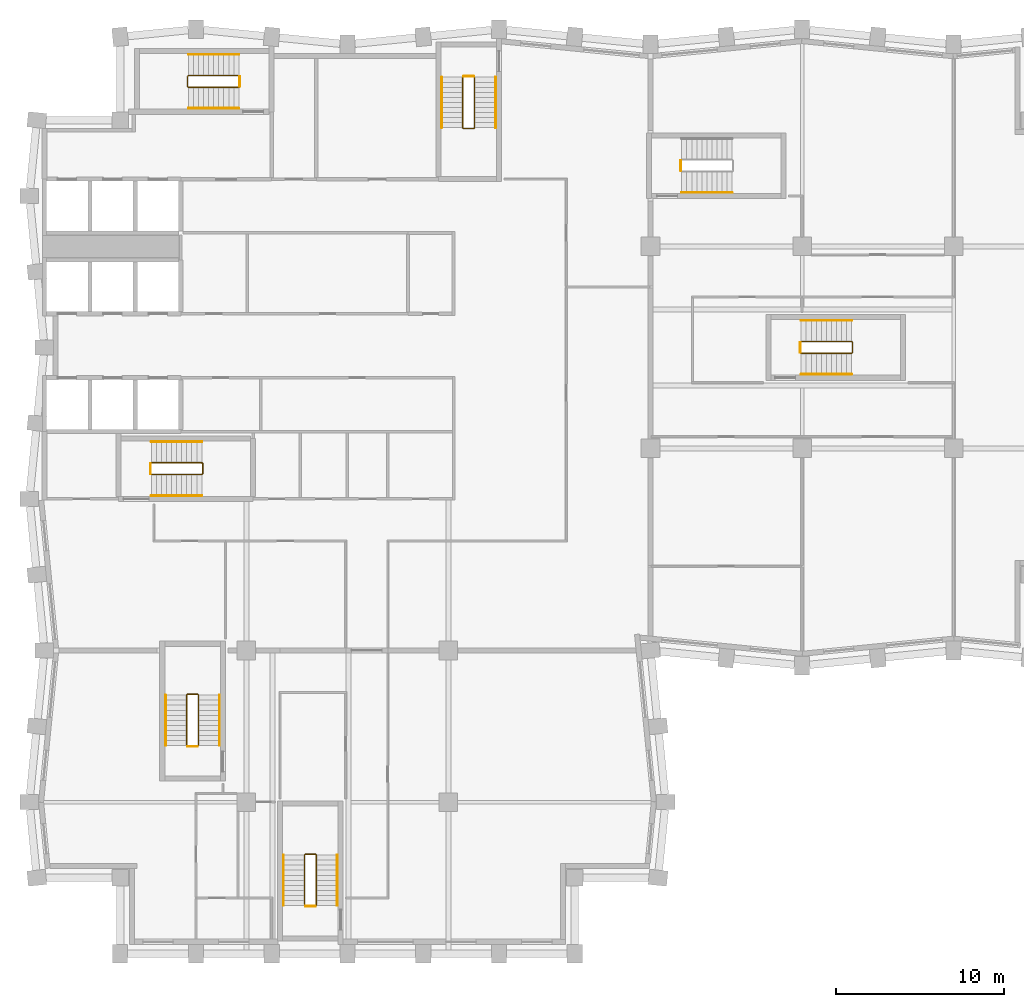
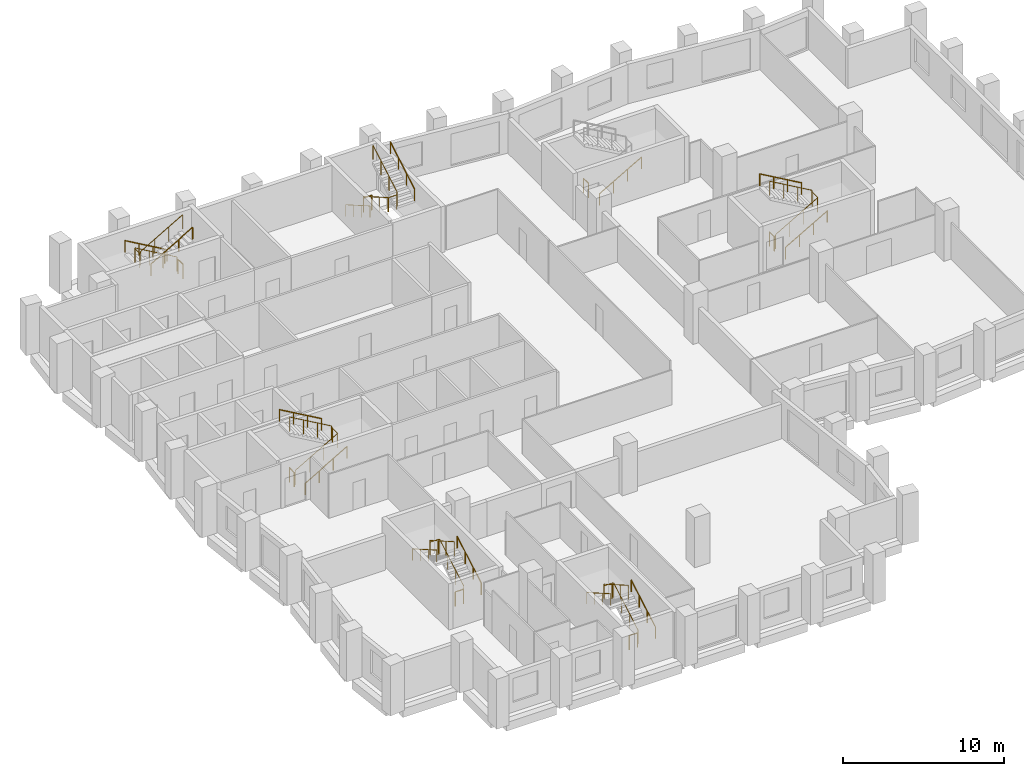
# One storey, part 9 of 10: 26 railings.
"""IFC4 building model written with IfcOpenShell, lengths in metres."""

from ifc_helpers import new_model, si_unit, direction, frame, origin, origin_2d, place, context, subcontext, project, spatial, circle, extrude, material, type_object, element, save


model = new_model("IFC4")

# Units and contexts
model_context = context("Model", 3, precision=1e-05, world=origin(), true_north=direction((0.0, 1.0)))
body_context = subcontext(model_context, "Body", "Model", "MODEL_VIEW")
ifc_project = project(units=[si_unit("LENGTHUNIT", "METRE"), si_unit("AREAUNIT", "SQUARE_METRE"), si_unit("VOLUMEUNIT", "CUBIC_METRE"), si_unit("PLANEANGLEUNIT", "RADIAN"), si_unit("MASSUNIT", "GRAM", prefix="KILO")], contexts=[model_context])

# Site, building, storey
site_placement = place(None, origin())
site = spatial("IfcSite", under=ifc_project, at=site_placement, CompositionType="ELEMENT")
building_placement = place(site_placement, origin())
building = spatial("IfcBuilding", under=site, at=building_placement, Name="Brondeck Convention Tower", CompositionType="ELEMENT")
storey_placement = place(building_placement, frame((0.0, 0.0, 189.0)))
storey = spatial("IfcBuildingStorey", under=building, at=storey_placement, Name="L46", CompositionType="ELEMENT", Elevation=189.0)

# Railings
ifc_material = material(Name="Steel S355", Category="steel")
railing_type_1 = type_object("IfcRailingType", Name="Stair guard 1100", PredefinedType="GUARDRAIL", material=ifc_material)
railing_1_placement = place(storey_placement, frame((6.35009765625, 37.449951171875, 0.172607421875)))
element("IfcRailing", 1, at=railing_1_placement, inside=storey, type_object=railing_type_1, Name="L46 ST-1 stair guard 1", PredefinedType="GUARDRAIL", context=body_context, shape_type="SweptSolid", body=[
    extrude(circle(Radius=0.02392578125, at=origin_2d()), frame((0.0, 0.0, 1.076171875), z_axis=(0.866619684472, 0.0, 0.498969260062), x_axis=(0.0, 1.0, 0.0)), (0.0, 0.0, 1.0), 3.461669921875),
    extrude(circle(Radius=0.02392578125, at=origin_2d()), frame((3.0, 0.0, 2.80322265625), z_axis=(0.705375805398, 0.708833529934, 0.0), x_axis=(-0.708833529934, 0.705375805398, 0.0)), (0.0, 0.0, 1.0), 0.070556640625),
    extrude(circle(Radius=0.02392578125, at=origin_2d()), frame((3.0498046875, 0.050048828125, 2.80322265625), z_axis=(0.0, 1.0, 0.0), x_axis=(-1.0, 0.0, 0.0)), (0.0, 0.0, 1.0), 0.60009765625),
    extrude(circle(Radius=0.02392578125, at=origin_2d()), frame((3.0498046875, 0.650146484375, 2.80322265625), z_axis=(-0.266832911964, 0.266832911964, 0.926067165051), x_axis=(-0.707106781187, -0.707106781187, 0.0)), (0.0, 0.0, 1.0), 0.186767578125),
    extrude(circle(Radius=0.02392578125, at=origin_2d()), frame((3.0, 0.699951171875, 2.97607421875), z_axis=(-0.866619684472, 0.0, 0.498969260062), x_axis=(0.0, -1.0, 0.0)), (0.0, 0.0, 1.0), 3.461669921875),
    extrude(circle(Radius=0.02099609375, at=origin_2d()), origin(), (0.0, 0.0, 1.0), 1.052001953125),
    extrude(circle(Radius=0.02099609375, at=origin_2d()), frame((1.0, 0.0, 0.57568359375)), (0.0, 0.0, 1.0), 1.052001953125),
    extrude(circle(Radius=0.02099609375, at=origin_2d()), frame((2.0, 0.0, 1.151611328125)), (0.0, 0.0, 1.0), 1.052001953125),
    extrude(circle(Radius=0.02099609375, at=origin_2d()), frame((3.0, 0.0, 1.727294921875)), (0.0, 0.0, 1.0), 1.052001953125),
    extrude(circle(Radius=0.02099609375, at=origin_2d()), frame((3.0498046875, 0.050048828125, 1.727294921875)), (0.0, 0.0, 1.0), 1.052001953125),
    extrude(circle(Radius=0.02099609375, at=origin_2d()), frame((3.0498046875, 0.650146484375, 1.727294921875)), (0.0, 0.0, 1.0), 1.052001953125),
    extrude(circle(Radius=0.02099609375, at=origin_2d()), frame((3.0, 0.699951171875, 1.900146484375)), (0.0, 0.0, 1.0), 1.052001953125),
    extrude(circle(Radius=0.02099609375, at=origin_2d()), frame((2.0, 0.699951171875, 2.475830078125)), (0.0, 0.0, 1.0), 1.052001953125),
    extrude(circle(Radius=0.02099609375, at=origin_2d()), frame((1.0, 0.699951171875, 3.0517578125)), (0.0, 0.0, 1.0), 1.052001953125),
    extrude(circle(Radius=0.02099609375, at=origin_2d()), frame((0.0, 0.699951171875, 3.62744140625)), (0.0, 0.0, 1.0), 1.052001953125),
])
railing_2_placement = place(storey_placement, frame((6.300048828125, 37.5, 0.0)))
element("IfcRailing", 2, at=railing_2_placement, inside=storey, type_object=railing_type_1, Name="L46 ST-1 stair guard 2", PredefinedType="GUARDRAIL", context=body_context, shape_type="SweptSolid", body=[
    extrude(circle(Radius=0.02392578125, at=origin_2d()), frame((0.0, 0.0, 1.076171875), z_axis=(0.0, 1.0, 0.0), x_axis=(-1.0, 0.0, 0.0)), (0.0, 0.0, 1.0), 0.60009765625),
    extrude(circle(Radius=0.02099609375, at=origin_2d()), origin(), (0.0, 0.0, 1.0), 1.052001953125),
    extrude(circle(Radius=0.02099609375, at=origin_2d()), frame((0.0, 0.60009765625, 0.0)), (0.0, 0.0, 1.0), 1.052001953125),
])
railing_3_placement = place(storey_placement, frame((24.85009765625, 61.050048828125, 0.172607421875)))
element("IfcRailing", 3, at=railing_3_placement, inside=storey, type_object=railing_type_1, Name="L46 ST-2 stair guard 1", PredefinedType="GUARDRAIL", context=body_context, shape_type="SweptSolid", body=[
    extrude(circle(Radius=0.02392578125, at=origin_2d()), frame((0.0, 0.0, 1.076171875), z_axis=(0.0, -0.866619684472, 0.498969260062), x_axis=(1.0, 0.0, 0.0)), (0.0, 0.0, 1.0), 3.461669921875),
    extrude(circle(Radius=0.02392578125, at=origin_2d()), frame((0.0, -3.0, 2.80322265625), z_axis=(0.705375805398, -0.708833529934, 0.0), x_axis=(0.708833529934, 0.705375805398, 0.0)), (0.0, 0.0, 1.0), 0.070556640625),
    extrude(circle(Radius=0.02392578125, at=origin_2d()), frame((0.0498046875, -3.050048828125, 2.80322265625), z_axis=(1.0, 0.0, 0.0), x_axis=(0.0, 1.0, 0.0)), (0.0, 0.0, 1.0), 0.60009765625),
    extrude(circle(Radius=0.02392578125, at=origin_2d()), frame((0.64990234375, -3.050048828125, 2.80322265625), z_axis=(0.267953482034, 0.267953482034, 0.925419830635), x_axis=(-0.707106781187, 0.707106781187, 0.0)), (0.0, 0.0, 1.0), 0.186767578125),
    extrude(circle(Radius=0.02392578125, at=origin_2d()), frame((0.699951171875, -3.0, 2.97607421875), z_axis=(0.0, 0.866619684472, 0.498969260062), x_axis=(-1.0, 0.0, 0.0)), (0.0, 0.0, 1.0), 3.461669921875),
    extrude(circle(Radius=0.02099609375, at=origin_2d()), origin(), (0.0, 0.0, 1.0), 1.052001953125),
    extrude(circle(Radius=0.02099609375, at=origin_2d()), frame((0.0, -1.0, 0.57568359375)), (0.0, 0.0, 1.0), 1.052001953125),
    extrude(circle(Radius=0.02099609375, at=origin_2d()), frame((0.0, -2.0, 1.151611328125)), (0.0, 0.0, 1.0), 1.052001953125),
    extrude(circle(Radius=0.02099609375, at=origin_2d()), frame((0.0, -3.0, 1.727294921875)), (0.0, 0.0, 1.0), 1.052001953125),
    extrude(circle(Radius=0.02099609375, at=origin_2d()), frame((0.0498046875, -3.050048828125, 1.727294921875)), (0.0, 0.0, 1.0), 1.052001953125),
    extrude(circle(Radius=0.02099609375, at=origin_2d()), frame((0.64990234375, -3.050048828125, 1.727294921875)), (0.0, 0.0, 1.0), 1.052001953125),
    extrude(circle(Radius=0.02099609375, at=origin_2d()), frame((0.699951171875, -3.0, 1.900146484375)), (0.0, 0.0, 1.0), 1.052001953125),
    extrude(circle(Radius=0.02099609375, at=origin_2d()), frame((0.699951171875, -2.0, 2.475830078125)), (0.0, 0.0, 1.0), 1.052001953125),
    extrude(circle(Radius=0.02099609375, at=origin_2d()), frame((0.699951171875, -1.0, 3.0517578125)), (0.0, 0.0, 1.0), 1.052001953125),
    extrude(circle(Radius=0.02099609375, at=origin_2d()), frame((0.699951171875, 0.0, 3.62744140625)), (0.0, 0.0, 1.0), 1.052001953125),
])
railing_4_placement = place(storey_placement, frame((24.89990234375, 61.10009765625, 0.0)))
element("IfcRailing", 4, at=railing_4_placement, inside=storey, type_object=railing_type_1, Name="L46 ST-2 stair guard 2", PredefinedType="GUARDRAIL", context=body_context, shape_type="SweptSolid", body=[
    extrude(circle(Radius=0.02392578125, at=origin_2d()), frame((0.0, 0.0, 1.076171875), z_axis=(1.0, 0.0, 0.0), x_axis=(0.0, 1.0, 0.0)), (0.0, 0.0, 1.0), 0.60009765625),
    extrude(circle(Radius=0.02099609375, at=origin_2d()), origin(), (0.0, 0.0, 1.0), 1.052001953125),
    extrude(circle(Radius=0.02099609375, at=origin_2d()), frame((0.60009765625, 0.0, 0.0)), (0.0, 0.0, 1.0), 1.052001953125),
])
railing_5_placement = place(storey_placement, frame((11.550048828125, 61.14990234375, 0.172607421875)))
element("IfcRailing", 5, at=railing_5_placement, inside=storey, type_object=railing_type_1, Name="L46 ST-3 stair guard 1", PredefinedType="GUARDRAIL", context=body_context, shape_type="SweptSolid", body=[
    extrude(circle(Radius=0.02392578125, at=origin_2d()), frame((0.0, 0.0, 1.076171875), z_axis=(-0.866619684472, 0.0, 0.498969260062), x_axis=(0.0, -1.0, 0.0)), (0.0, 0.0, 1.0), 3.461669921875),
    extrude(circle(Radius=0.02392578125, at=origin_2d()), frame((-3.0, 0.0, 2.80322265625), z_axis=(-0.708833529934, -0.705375805398, 0.0), x_axis=(0.705375805398, -0.708833529934, 0.0)), (0.0, 0.0, 1.0), 0.070556640625),
    extrude(circle(Radius=0.02392578125, at=origin_2d()), frame((-3.050048828125, -0.0498046875, 2.80322265625), z_axis=(0.0, -1.0, 0.0), x_axis=(1.0, 0.0, 0.0)), (0.0, 0.0, 1.0), 0.60009765625),
    extrude(circle(Radius=0.02392578125, at=origin_2d()), frame((-3.050048828125, -0.64990234375, 2.80322265625), z_axis=(0.267953482034, -0.267953482034, 0.925419830635), x_axis=(0.707106781187, 0.707106781187, 0.0)), (0.0, 0.0, 1.0), 0.186767578125),
    extrude(circle(Radius=0.02392578125, at=origin_2d()), frame((-3.0, -0.699951171875, 2.97607421875), z_axis=(0.866619684472, 0.0, 0.498969260062), x_axis=(0.0, 1.0, 0.0)), (0.0, 0.0, 1.0), 3.461669921875),
    extrude(circle(Radius=0.02099609375, at=origin_2d()), origin(), (0.0, 0.0, 1.0), 1.052001953125),
    extrude(circle(Radius=0.02099609375, at=origin_2d()), frame((-1.0, 0.0, 0.57568359375)), (0.0, 0.0, 1.0), 1.052001953125),
    extrude(circle(Radius=0.02099609375, at=origin_2d()), frame((-2.0, 0.0, 1.151611328125)), (0.0, 0.0, 1.0), 1.052001953125),
    extrude(circle(Radius=0.02099609375, at=origin_2d()), frame((-3.0, 0.0, 1.727294921875)), (0.0, 0.0, 1.0), 1.052001953125),
    extrude(circle(Radius=0.02099609375, at=origin_2d()), frame((-3.050048828125, -0.0498046875, 1.727294921875)), (0.0, 0.0, 1.0), 1.052001953125),
    extrude(circle(Radius=0.02099609375, at=origin_2d()), frame((-3.050048828125, -0.64990234375, 1.727294921875)), (0.0, 0.0, 1.0), 1.052001953125),
    extrude(circle(Radius=0.02099609375, at=origin_2d()), frame((-3.0, -0.699951171875, 1.900146484375)), (0.0, 0.0, 1.0), 1.052001953125),
    extrude(circle(Radius=0.02099609375, at=origin_2d()), frame((-2.0, -0.699951171875, 2.475830078125)), (0.0, 0.0, 1.0), 1.052001953125),
    extrude(circle(Radius=0.02099609375, at=origin_2d()), frame((-1.0, -0.699951171875, 3.0517578125)), (0.0, 0.0, 1.0), 1.052001953125),
    extrude(circle(Radius=0.02099609375, at=origin_2d()), frame((0.0, -0.699951171875, 3.62744140625)), (0.0, 0.0, 1.0), 1.052001953125),
])
railing_6_placement = place(storey_placement, frame((11.60009765625, 61.10009765625, 0.0)))
element("IfcRailing", 6, at=railing_6_placement, inside=storey, type_object=railing_type_1, Name="L46 ST-3 stair guard 2", PredefinedType="GUARDRAIL", context=body_context, shape_type="SweptSolid", body=[
    extrude(circle(Radius=0.02392578125, at=origin_2d()), frame((0.0, 0.0, 1.076171875), z_axis=(0.0, -1.0, 0.0), x_axis=(1.0, 0.0, 0.0)), (0.0, 0.0, 1.0), 0.60009765625),
    extrude(circle(Radius=0.02099609375, at=origin_2d()), origin(), (0.0, 0.0, 1.0), 1.052001953125),
    extrude(circle(Radius=0.02099609375, at=origin_2d()), frame((0.0, -0.60009765625, 0.0)), (0.0, 0.0, 1.0), 1.052001953125),
])
railing_7_placement = place(storey_placement, frame((37.800048828125, 55.5, 0.0)))
element("IfcRailing", 7, at=railing_7_placement, inside=storey, type_object=railing_type_1, Name="L46 ST-AE stair guard 2", PredefinedType="GUARDRAIL", context=body_context, shape_type="SweptSolid", body=[
    extrude(circle(Radius=0.02392578125, at=origin_2d()), frame((0.0, 0.0, 1.076171875), z_axis=(0.0, 1.0, 0.0), x_axis=(-1.0, 0.0, 0.0)), (0.0, 0.0, 1.0), 0.60009765625),
    extrude(circle(Radius=0.02099609375, at=origin_2d()), origin(), (0.0, 0.0, 1.0), 1.052001953125),
    extrude(circle(Radius=0.02099609375, at=origin_2d()), frame((0.0, 0.60009765625, 0.0)), (0.0, 0.0, 1.0), 1.052001953125),
])
railing_8_placement = place(storey_placement, frame((9.14990234375, 21.35009765625, 0.172607421875)))
element("IfcRailing", 8, at=railing_8_placement, inside=storey, type_object=railing_type_1, Name="L46 ST-BE stair guard 1", PredefinedType="GUARDRAIL", context=body_context, shape_type="SweptSolid", body=[
    extrude(circle(Radius=0.02392578125, at=origin_2d()), frame((0.0, 0.0, 1.076171875), z_axis=(0.0, 0.866619684472, 0.498969260062), x_axis=(-1.0, 0.0, 0.0)), (0.0, 0.0, 1.0), 3.461669921875),
    extrude(circle(Radius=0.02392578125, at=origin_2d()), frame((0.0, 3.0, 2.80322265625), z_axis=(-0.707106781187, 0.707106781187, 0.0), x_axis=(-0.707106781187, -0.707106781187, 0.0)), (0.0, 0.0, 1.0), 0.0703125),
    extrude(circle(Radius=0.02392578125, at=origin_2d()), frame((-0.0498046875, 3.0498046875, 2.80322265625), z_axis=(-1.0, 0.0, 0.0), x_axis=(0.0, -1.0, 0.0)), (0.0, 0.0, 1.0), 0.60009765625),
    extrude(circle(Radius=0.02392578125, at=origin_2d()), frame((-0.64990234375, 3.0498046875, 2.80322265625), z_axis=(-0.268047150085, -0.266739603011, 0.925743328097), x_axis=(0.705375805398, -0.708833529934, 0.0)), (0.0, 0.0, 1.0), 0.186767578125),
    extrude(circle(Radius=0.02392578125, at=origin_2d()), frame((-0.699951171875, 3.0, 2.97607421875), z_axis=(0.0, -0.866619684472, 0.498969260062), x_axis=(1.0, 0.0, 0.0)), (0.0, 0.0, 1.0), 3.461669921875),
    extrude(circle(Radius=0.02099609375, at=origin_2d()), origin(), (0.0, 0.0, 1.0), 1.052001953125),
    extrude(circle(Radius=0.02099609375, at=origin_2d()), frame((0.0, 1.0, 0.57568359375)), (0.0, 0.0, 1.0), 1.052001953125),
    extrude(circle(Radius=0.02099609375, at=origin_2d()), frame((0.0, 2.0, 1.151611328125)), (0.0, 0.0, 1.0), 1.052001953125),
    extrude(circle(Radius=0.02099609375, at=origin_2d()), frame((0.0, 3.0, 1.727294921875)), (0.0, 0.0, 1.0), 1.052001953125),
    extrude(circle(Radius=0.02099609375, at=origin_2d()), frame((-0.0498046875, 3.0498046875, 1.727294921875)), (0.0, 0.0, 1.0), 1.052001953125),
    extrude(circle(Radius=0.02099609375, at=origin_2d()), frame((-0.64990234375, 3.0498046875, 1.727294921875)), (0.0, 0.0, 1.0), 1.052001953125),
    extrude(circle(Radius=0.02099609375, at=origin_2d()), frame((-0.699951171875, 3.0, 1.900146484375)), (0.0, 0.0, 1.0), 1.052001953125),
    extrude(circle(Radius=0.02099609375, at=origin_2d()), frame((-0.699951171875, 2.0, 2.475830078125)), (0.0, 0.0, 1.0), 1.052001953125),
    extrude(circle(Radius=0.02099609375, at=origin_2d()), frame((-0.699951171875, 1.0, 3.0517578125)), (0.0, 0.0, 1.0), 1.052001953125),
    extrude(circle(Radius=0.02099609375, at=origin_2d()), frame((-0.699951171875, 0.0, 3.62744140625)), (0.0, 0.0, 1.0), 1.052001953125),
])
railing_9_placement = place(storey_placement, frame((9.10009765625, 21.300048828125, 0.0)))
element("IfcRailing", 9, at=railing_9_placement, inside=storey, type_object=railing_type_1, Name="L46 ST-BE stair guard 2", PredefinedType="GUARDRAIL", context=body_context, shape_type="SweptSolid", body=[
    extrude(circle(Radius=0.02392578125, at=origin_2d()), frame((0.0, 0.0, 1.076171875), z_axis=(-1.0, 0.0, 0.0), x_axis=(0.0, -1.0, 0.0)), (0.0, 0.0, 1.0), 0.60009765625),
    extrude(circle(Radius=0.02099609375, at=origin_2d()), origin(), (0.0, 0.0, 1.0), 1.052001953125),
    extrude(circle(Radius=0.02099609375, at=origin_2d()), frame((-0.60009765625, 0.0, 0.0)), (0.0, 0.0, 1.0), 1.052001953125),
])
railing_10_placement = place(storey_placement, frame((44.949951171875, 44.64990234375, 0.172607421875)))
element("IfcRailing", 10, at=railing_10_placement, inside=storey, type_object=railing_type_1, Name="L46 ST-AF stair guard 1", PredefinedType="GUARDRAIL", context=body_context, shape_type="SweptSolid", body=[
    extrude(circle(Radius=0.02392578125, at=origin_2d()), frame((0.0, 0.0, 1.076171875), z_axis=(0.866619684472, 0.0, 0.498969260062), x_axis=(0.0, 1.0, 0.0)), (0.0, 0.0, 1.0), 3.461669921875),
    extrude(circle(Radius=0.02392578125, at=origin_2d()), frame((3.0, 0.0, 2.80322265625), z_axis=(0.707106781187, 0.707106781187, 0.0), x_axis=(-0.707106781187, 0.707106781187, 0.0)), (0.0, 0.0, 1.0), 0.07080078125),
    extrude(circle(Radius=0.02392578125, at=origin_2d()), frame((3.050048828125, 0.050048828125, 2.80322265625), z_axis=(0.0, 1.0, 0.0), x_axis=(-1.0, 0.0, 0.0)), (0.0, 0.0, 1.0), 0.60009765625),
    extrude(circle(Radius=0.02392578125, at=origin_2d()), frame((3.050048828125, 0.650146484375, 2.80322265625), z_axis=(-0.267953482034, 0.267953482034, 0.925419830635), x_axis=(-0.707106781187, -0.707106781187, 0.0)), (0.0, 0.0, 1.0), 0.186767578125),
    extrude(circle(Radius=0.02392578125, at=origin_2d()), frame((3.0, 0.7001953125, 2.97607421875), z_axis=(-0.866619684472, 0.0, 0.498969260062), x_axis=(0.0, -1.0, 0.0)), (0.0, 0.0, 1.0), 3.461669921875),
    extrude(circle(Radius=0.02099609375, at=origin_2d()), origin(), (0.0, 0.0, 1.0), 1.052001953125),
    extrude(circle(Radius=0.02099609375, at=origin_2d()), frame((1.0, 0.0, 0.57568359375)), (0.0, 0.0, 1.0), 1.052001953125),
    extrude(circle(Radius=0.02099609375, at=origin_2d()), frame((2.0, 0.0, 1.151611328125)), (0.0, 0.0, 1.0), 1.052001953125),
    extrude(circle(Radius=0.02099609375, at=origin_2d()), frame((3.0, 0.0, 1.727294921875)), (0.0, 0.0, 1.0), 1.052001953125),
    extrude(circle(Radius=0.02099609375, at=origin_2d()), frame((3.050048828125, 0.050048828125, 1.727294921875)), (0.0, 0.0, 1.0), 1.052001953125),
    extrude(circle(Radius=0.02099609375, at=origin_2d()), frame((3.050048828125, 0.650146484375, 1.727294921875)), (0.0, 0.0, 1.0), 1.052001953125),
    extrude(circle(Radius=0.02099609375, at=origin_2d()), frame((3.0, 0.7001953125, 1.900146484375)), (0.0, 0.0, 1.0), 1.052001953125),
    extrude(circle(Radius=0.02099609375, at=origin_2d()), frame((2.0, 0.7001953125, 2.475830078125)), (0.0, 0.0, 1.0), 1.052001953125),
    extrude(circle(Radius=0.02099609375, at=origin_2d()), frame((1.0, 0.7001953125, 3.0517578125)), (0.0, 0.0, 1.0), 1.052001953125),
    extrude(circle(Radius=0.02099609375, at=origin_2d()), frame((0.0, 0.7001953125, 3.62744140625)), (0.0, 0.0, 1.0), 1.052001953125),
])
railing_11_placement = place(storey_placement, frame((44.89990234375, 44.699951171875, 0.0)))
element("IfcRailing", 11, at=railing_11_placement, inside=storey, type_object=railing_type_1, Name="L46 ST-AF stair guard 2", PredefinedType="GUARDRAIL", context=body_context, shape_type="SweptSolid", body=[
    extrude(circle(Radius=0.02392578125, at=origin_2d()), frame((0.0, 0.0, 1.076171875), z_axis=(0.0, 1.0, 0.0), x_axis=(-1.0, 0.0, 0.0)), (0.0, 0.0, 1.0), 0.60009765625),
    extrude(circle(Radius=0.02099609375, at=origin_2d()), origin(), (0.0, 0.0, 1.0), 1.052001953125),
    extrude(circle(Radius=0.02099609375, at=origin_2d()), frame((0.0, 0.60009765625, 0.0)), (0.0, 0.0, 1.0), 1.052001953125),
])
railing_12_placement = place(storey_placement, frame((16.14990234375, 11.85009765625, 0.172607421875)))
element("IfcRailing", 12, at=railing_12_placement, inside=storey, type_object=railing_type_1, Name="L46 ST-BF stair guard 1", PredefinedType="GUARDRAIL", context=body_context, shape_type="SweptSolid", body=[
    extrude(circle(Radius=0.02392578125, at=origin_2d()), frame((0.0, 0.0, 1.076171875), z_axis=(0.0, 0.866619684472, 0.498969260062), x_axis=(-1.0, 0.0, 0.0)), (0.0, 0.0, 1.0), 3.461669921875),
    extrude(circle(Radius=0.02392578125, at=origin_2d()), frame((0.0, 3.0, 2.80322265625), z_axis=(-0.707106781187, 0.707106781187, 0.0), x_axis=(-0.707106781187, -0.707106781187, 0.0)), (0.0, 0.0, 1.0), 0.0703125),
    extrude(circle(Radius=0.02392578125, at=origin_2d()), frame((-0.0498046875, 3.0498046875, 2.80322265625), z_axis=(-1.0, 0.0, 0.0), x_axis=(0.0, -1.0, 0.0)), (0.0, 0.0, 1.0), 0.60009765625),
    extrude(circle(Radius=0.02392578125, at=origin_2d()), frame((-0.64990234375, 3.0498046875, 2.80322265625), z_axis=(-0.268047150085, -0.266739603011, 0.925743328097), x_axis=(0.705375805398, -0.708833529934, 0.0)), (0.0, 0.0, 1.0), 0.186767578125),
    extrude(circle(Radius=0.02392578125, at=origin_2d()), frame((-0.699951171875, 3.0, 2.97607421875), z_axis=(0.0, -0.866619684472, 0.498969260062), x_axis=(1.0, 0.0, 0.0)), (0.0, 0.0, 1.0), 3.461669921875),
    extrude(circle(Radius=0.02099609375, at=origin_2d()), origin(), (0.0, 0.0, 1.0), 1.052001953125),
    extrude(circle(Radius=0.02099609375, at=origin_2d()), frame((0.0, 1.0, 0.57568359375)), (0.0, 0.0, 1.0), 1.052001953125),
    extrude(circle(Radius=0.02099609375, at=origin_2d()), frame((0.0, 2.0, 1.151611328125)), (0.0, 0.0, 1.0), 1.052001953125),
    extrude(circle(Radius=0.02099609375, at=origin_2d()), frame((0.0, 3.0, 1.727294921875)), (0.0, 0.0, 1.0), 1.052001953125),
    extrude(circle(Radius=0.02099609375, at=origin_2d()), frame((-0.0498046875, 3.0498046875, 1.727294921875)), (0.0, 0.0, 1.0), 1.052001953125),
    extrude(circle(Radius=0.02099609375, at=origin_2d()), frame((-0.64990234375, 3.0498046875, 1.727294921875)), (0.0, 0.0, 1.0), 1.052001953125),
    extrude(circle(Radius=0.02099609375, at=origin_2d()), frame((-0.699951171875, 3.0, 1.900146484375)), (0.0, 0.0, 1.0), 1.052001953125),
    extrude(circle(Radius=0.02099609375, at=origin_2d()), frame((-0.699951171875, 2.0, 2.475830078125)), (0.0, 0.0, 1.0), 1.052001953125),
    extrude(circle(Radius=0.02099609375, at=origin_2d()), frame((-0.699951171875, 1.0, 3.0517578125)), (0.0, 0.0, 1.0), 1.052001953125),
    extrude(circle(Radius=0.02099609375, at=origin_2d()), frame((-0.699951171875, 0.0, 3.62744140625)), (0.0, 0.0, 1.0), 1.052001953125),
])
railing_13_placement = place(storey_placement, frame((16.10009765625, 11.800048828125, 0.0)))
element("IfcRailing", 13, at=railing_13_placement, inside=storey, type_object=railing_type_1, Name="L46 ST-BF stair guard 2", PredefinedType="GUARDRAIL", context=body_context, shape_type="SweptSolid", body=[
    extrude(circle(Radius=0.02392578125, at=origin_2d()), frame((0.0, 0.0, 1.076171875), z_axis=(-1.0, 0.0, 0.0), x_axis=(0.0, -1.0, 0.0)), (0.0, 0.0, 1.0), 0.60009765625),
    extrude(circle(Radius=0.02099609375, at=origin_2d()), origin(), (0.0, 0.0, 1.0), 1.052001953125),
    extrude(circle(Radius=0.02099609375, at=origin_2d()), frame((-0.60009765625, 0.0, 0.0)), (0.0, 0.0, 1.0), 1.052001953125),
])
railing_type_2 = type_object("IfcRailingType", Name="Stair handrail", PredefinedType="HANDRAIL", material=ifc_material)
railing_14_placement = place(storey_placement, frame((6.35009765625, 36.199951171875, 0.172607421875)))
element("IfcRailing", 14, at=railing_14_placement, inside=storey, type_object=railing_type_2, Name="L46 ST-1 stair handrail 1", PredefinedType="HANDRAIL", context=body_context, shape_type="SweptSolid", body=[
    extrude(circle(Radius=0.02392578125, at=origin_2d()), frame((0.0, 0.0, 0.8759765625), z_axis=(0.866619684472, 0.0, 0.498969260062), x_axis=(0.0, 1.0, 0.0)), (0.0, 0.0, 1.0), 3.461669921875),
    extrude(circle(Radius=0.02099609375, at=origin_2d()), origin(), (0.0, 0.0, 1.0), 0.851806640625),
    extrude(circle(Radius=0.02099609375, at=origin_2d()), frame((1.0, 0.0, 0.57568359375)), (0.0, 0.0, 1.0), 0.851806640625),
    extrude(circle(Radius=0.02099609375, at=origin_2d()), frame((2.0, 0.0, 1.151611328125)), (0.0, 0.0, 1.0), 0.851806640625),
    extrude(circle(Radius=0.02099609375, at=origin_2d()), frame((3.0, 0.0, 1.727294921875)), (0.0, 0.0, 1.0), 0.851806640625),
])
railing_15_placement = place(storey_placement, frame((9.35009765625, 39.39990234375, 2.07275390625)))
element("IfcRailing", 15, at=railing_15_placement, inside=storey, type_object=railing_type_2, Name="L46 ST-1 stair handrail 2", PredefinedType="HANDRAIL", context=body_context, shape_type="SweptSolid", body=[
    extrude(circle(Radius=0.02392578125, at=origin_2d()), frame((0.0, 0.0, 0.8759765625), z_axis=(-0.866619684472, 0.0, 0.498969260062), x_axis=(0.0, -1.0, 0.0)), (0.0, 0.0, 1.0), 3.461669921875),
    extrude(circle(Radius=0.02099609375, at=origin_2d()), origin(), (0.0, 0.0, 1.0), 0.851806640625),
    extrude(circle(Radius=0.02099609375, at=origin_2d()), frame((-1.0, 0.0, 0.57568359375)), (0.0, 0.0, 1.0), 0.851806640625),
    extrude(circle(Radius=0.02099609375, at=origin_2d()), frame((-2.0, 0.0, 1.151611328125)), (0.0, 0.0, 1.0), 0.851806640625),
    extrude(circle(Radius=0.02099609375, at=origin_2d()), frame((-3.0, 0.0, 1.727294921875)), (0.0, 0.0, 1.0), 0.851806640625),
])
railing_16_placement = place(storey_placement, frame((23.60009765625, 61.050048828125, 0.172607421875)))
element("IfcRailing", 16, at=railing_16_placement, inside=storey, type_object=railing_type_2, Name="L46 ST-2 stair handrail 1", PredefinedType="HANDRAIL", context=body_context, shape_type="SweptSolid", body=[
    extrude(circle(Radius=0.02392578125, at=origin_2d()), frame((0.0, 0.0, 0.8759765625), z_axis=(0.0, -0.866619684472, 0.498969260062), x_axis=(1.0, 0.0, 0.0)), (0.0, 0.0, 1.0), 3.461669921875),
    extrude(circle(Radius=0.02099609375, at=origin_2d()), origin(), (0.0, 0.0, 1.0), 0.851806640625),
    extrude(circle(Radius=0.02099609375, at=origin_2d()), frame((0.0, -1.0, 0.57568359375)), (0.0, 0.0, 1.0), 0.851806640625),
    extrude(circle(Radius=0.02099609375, at=origin_2d()), frame((0.0, -2.0, 1.151611328125)), (0.0, 0.0, 1.0), 0.851806640625),
    extrude(circle(Radius=0.02099609375, at=origin_2d()), frame((0.0, -3.0, 1.727294921875)), (0.0, 0.0, 1.0), 0.851806640625),
])
railing_17_placement = place(storey_placement, frame((26.800048828125, 58.050048828125, 2.07275390625)))
element("IfcRailing", 17, at=railing_17_placement, inside=storey, type_object=railing_type_2, Name="L46 ST-2 stair handrail 2", PredefinedType="HANDRAIL", context=body_context, shape_type="SweptSolid", body=[
    extrude(circle(Radius=0.02392578125, at=origin_2d()), frame((0.0, 0.0, 0.8759765625), z_axis=(0.0, 0.866619684472, 0.498969260062), x_axis=(-1.0, 0.0, 0.0)), (0.0, 0.0, 1.0), 3.461669921875),
    extrude(circle(Radius=0.02099609375, at=origin_2d()), origin(), (0.0, 0.0, 1.0), 0.851806640625),
    extrude(circle(Radius=0.02099609375, at=origin_2d()), frame((0.0, 1.0, 0.57568359375)), (0.0, 0.0, 1.0), 0.851806640625),
    extrude(circle(Radius=0.02099609375, at=origin_2d()), frame((0.0, 2.0, 1.151611328125)), (0.0, 0.0, 1.0), 0.851806640625),
    extrude(circle(Radius=0.02099609375, at=origin_2d()), frame((0.0, 3.0, 1.727294921875)), (0.0, 0.0, 1.0), 0.851806640625),
])
railing_18_placement = place(storey_placement, frame((11.550048828125, 62.39990234375, 0.172607421875)))
element("IfcRailing", 18, at=railing_18_placement, inside=storey, type_object=railing_type_2, Name="L46 ST-3 stair handrail 1", PredefinedType="HANDRAIL", context=body_context, shape_type="SweptSolid", body=[
    extrude(circle(Radius=0.02392578125, at=origin_2d()), frame((0.0, 0.0, 0.8759765625), z_axis=(-0.866619684472, 0.0, 0.498969260062), x_axis=(0.0, -1.0, 0.0)), (0.0, 0.0, 1.0), 3.461669921875),
    extrude(circle(Radius=0.02099609375, at=origin_2d()), origin(), (0.0, 0.0, 1.0), 0.851806640625),
    extrude(circle(Radius=0.02099609375, at=origin_2d()), frame((-1.0, 0.0, 0.57568359375)), (0.0, 0.0, 1.0), 0.851806640625),
    extrude(circle(Radius=0.02099609375, at=origin_2d()), frame((-2.0, 0.0, 1.151611328125)), (0.0, 0.0, 1.0), 0.851806640625),
    extrude(circle(Radius=0.02099609375, at=origin_2d()), frame((-3.0, 0.0, 1.727294921875)), (0.0, 0.0, 1.0), 0.851806640625),
])
for number, where, name in (
    (19, (8.550048828125, 59.199951171875, 2.07275390625), "L46 ST-3 stair handrail 2"),
    (20, (37.85009765625, 54.199951171875, 0.172607421875), "L46 ST-AE stair handrail 1"),
):
    element("IfcRailing", number, at=place(storey_placement, frame(where)), inside=storey, type_object=railing_type_2, Name=name, PredefinedType="HANDRAIL", context=body_context, shape_type="SweptSolid", body=[
        extrude(circle(Radius=0.02392578125, at=origin_2d()), frame((0.0, 0.0, 0.8759765625), z_axis=(0.866619684472, 0.0, 0.498969260062), x_axis=(0.0, 1.0, 0.0)), (0.0, 0.0, 1.0), 3.461669921875),
        extrude(circle(Radius=0.02099609375, at=origin_2d()), origin(), (0.0, 0.0, 1.0), 0.851806640625),
        extrude(circle(Radius=0.02099609375, at=origin_2d()), frame((1.0, 0.0, 0.57568359375)), (0.0, 0.0, 1.0), 0.851806640625),
        extrude(circle(Radius=0.02099609375, at=origin_2d()), frame((2.0, 0.0, 1.151611328125)), (0.0, 0.0, 1.0), 0.851806640625),
        extrude(circle(Radius=0.02099609375, at=origin_2d()), frame((3.0, 0.0, 1.727294921875)), (0.0, 0.0, 1.0), 0.851806640625),
    ])
railing_19_placement = place(storey_placement, frame((10.39990234375, 21.35009765625, 0.172607421875)))
element("IfcRailing", 21, at=railing_19_placement, inside=storey, type_object=railing_type_2, Name="L46 ST-BE stair handrail 1", PredefinedType="HANDRAIL", context=body_context, shape_type="SweptSolid", body=[
    extrude(circle(Radius=0.02392578125, at=origin_2d()), frame((0.0, 0.0, 0.8759765625), z_axis=(0.0, 0.866619684472, 0.498969260062), x_axis=(-1.0, 0.0, 0.0)), (0.0, 0.0, 1.0), 3.461669921875),
    extrude(circle(Radius=0.02099609375, at=origin_2d()), origin(), (0.0, 0.0, 1.0), 0.851806640625),
    extrude(circle(Radius=0.02099609375, at=origin_2d()), frame((0.0, 1.0, 0.57568359375)), (0.0, 0.0, 1.0), 0.851806640625),
    extrude(circle(Radius=0.02099609375, at=origin_2d()), frame((0.0, 2.0, 1.151611328125)), (0.0, 0.0, 1.0), 0.851806640625),
    extrude(circle(Radius=0.02099609375, at=origin_2d()), frame((0.0, 3.0, 1.727294921875)), (0.0, 0.0, 1.0), 0.851806640625),
])
railing_20_placement = place(storey_placement, frame((7.199951171875, 24.35009765625, 2.07275390625)))
element("IfcRailing", 22, at=railing_20_placement, inside=storey, type_object=railing_type_2, Name="L46 ST-BE stair handrail 2", PredefinedType="HANDRAIL", context=body_context, shape_type="SweptSolid", body=[
    extrude(circle(Radius=0.02392578125, at=origin_2d()), frame((0.0, 0.0, 0.8759765625), z_axis=(0.0, -0.866619684472, 0.498969260062), x_axis=(1.0, 0.0, 0.0)), (0.0, 0.0, 1.0), 3.461669921875),
    extrude(circle(Radius=0.02099609375, at=origin_2d()), origin(), (0.0, 0.0, 1.0), 0.851806640625),
    extrude(circle(Radius=0.02099609375, at=origin_2d()), frame((0.0, -1.0, 0.57568359375)), (0.0, 0.0, 1.0), 0.851806640625),
    extrude(circle(Radius=0.02099609375, at=origin_2d()), frame((0.0, -2.0, 1.151611328125)), (0.0, 0.0, 1.0), 0.851806640625),
    extrude(circle(Radius=0.02099609375, at=origin_2d()), frame((0.0, -3.0, 1.727294921875)), (0.0, 0.0, 1.0), 0.851806640625),
])
railing_21_placement = place(storey_placement, frame((44.949951171875, 43.39990234375, 0.172607421875)))
element("IfcRailing", 23, at=railing_21_placement, inside=storey, type_object=railing_type_2, Name="L46 ST-AF stair handrail 1", PredefinedType="HANDRAIL", context=body_context, shape_type="SweptSolid", body=[
    extrude(circle(Radius=0.02392578125, at=origin_2d()), frame((0.0, 0.0, 0.8759765625), z_axis=(0.866619684472, 0.0, 0.498969260062), x_axis=(0.0, 1.0, 0.0)), (0.0, 0.0, 1.0), 3.461669921875),
    extrude(circle(Radius=0.02099609375, at=origin_2d()), origin(), (0.0, 0.0, 1.0), 0.851806640625),
    extrude(circle(Radius=0.02099609375, at=origin_2d()), frame((1.0, 0.0, 0.57568359375)), (0.0, 0.0, 1.0), 0.851806640625),
    extrude(circle(Radius=0.02099609375, at=origin_2d()), frame((2.0, 0.0, 1.151611328125)), (0.0, 0.0, 1.0), 0.851806640625),
    extrude(circle(Radius=0.02099609375, at=origin_2d()), frame((3.0, 0.0, 1.727294921875)), (0.0, 0.0, 1.0), 0.851806640625),
])
railing_22_placement = place(storey_placement, frame((47.949951171875, 46.60009765625, 2.07275390625)))
element("IfcRailing", 24, at=railing_22_placement, inside=storey, type_object=railing_type_2, Name="L46 ST-AF stair handrail 2", PredefinedType="HANDRAIL", context=body_context, shape_type="SweptSolid", body=[
    extrude(circle(Radius=0.02392578125, at=origin_2d()), frame((0.0, 0.0, 0.8759765625), z_axis=(-0.866619684472, 0.0, 0.498969260062), x_axis=(0.0, -1.0, 0.0)), (0.0, 0.0, 1.0), 3.461669921875),
    extrude(circle(Radius=0.02099609375, at=origin_2d()), origin(), (0.0, 0.0, 1.0), 0.851806640625),
    extrude(circle(Radius=0.02099609375, at=origin_2d()), frame((-1.0, 0.0, 0.57568359375)), (0.0, 0.0, 1.0), 0.851806640625),
    extrude(circle(Radius=0.02099609375, at=origin_2d()), frame((-2.0, 0.0, 1.151611328125)), (0.0, 0.0, 1.0), 0.851806640625),
    extrude(circle(Radius=0.02099609375, at=origin_2d()), frame((-3.0, 0.0, 1.727294921875)), (0.0, 0.0, 1.0), 0.851806640625),
])
railing_23_placement = place(storey_placement, frame((17.39990234375, 11.85009765625, 0.172607421875)))
element("IfcRailing", 25, at=railing_23_placement, inside=storey, type_object=railing_type_2, Name="L46 ST-BF stair handrail 1", PredefinedType="HANDRAIL", context=body_context, shape_type="SweptSolid", body=[
    extrude(circle(Radius=0.02392578125, at=origin_2d()), frame((0.0, 0.0, 0.8759765625), z_axis=(0.0, 0.866619684472, 0.498969260062), x_axis=(-1.0, 0.0, 0.0)), (0.0, 0.0, 1.0), 3.461669921875),
    extrude(circle(Radius=0.02099609375, at=origin_2d()), origin(), (0.0, 0.0, 1.0), 0.851806640625),
    extrude(circle(Radius=0.02099609375, at=origin_2d()), frame((0.0, 1.0, 0.57568359375)), (0.0, 0.0, 1.0), 0.851806640625),
    extrude(circle(Radius=0.02099609375, at=origin_2d()), frame((0.0, 2.0, 1.151611328125)), (0.0, 0.0, 1.0), 0.851806640625),
    extrude(circle(Radius=0.02099609375, at=origin_2d()), frame((0.0, 3.0, 1.727294921875)), (0.0, 0.0, 1.0), 0.851806640625),
])
railing_24_placement = place(storey_placement, frame((14.199951171875, 14.85009765625, 2.07275390625)))
element("IfcRailing", 26, at=railing_24_placement, inside=storey, type_object=railing_type_2, Name="L46 ST-BF stair handrail 2", PredefinedType="HANDRAIL", context=body_context, shape_type="SweptSolid", body=[
    extrude(circle(Radius=0.02392578125, at=origin_2d()), frame((0.0, 0.0, 0.8759765625), z_axis=(0.0, -0.866619684472, 0.498969260062), x_axis=(1.0, 0.0, 0.0)), (0.0, 0.0, 1.0), 3.461669921875),
    extrude(circle(Radius=0.02099609375, at=origin_2d()), origin(), (0.0, 0.0, 1.0), 0.851806640625),
    extrude(circle(Radius=0.02099609375, at=origin_2d()), frame((0.0, -1.0, 0.57568359375)), (0.0, 0.0, 1.0), 0.851806640625),
    extrude(circle(Radius=0.02099609375, at=origin_2d()), frame((0.0, -2.0, 1.151611328125)), (0.0, 0.0, 1.0), 0.851806640625),
    extrude(circle(Radius=0.02099609375, at=origin_2d()), frame((0.0, -3.0, 1.727294921875)), (0.0, 0.0, 1.0), 0.851806640625),
])

save(model, "model.ifc")
